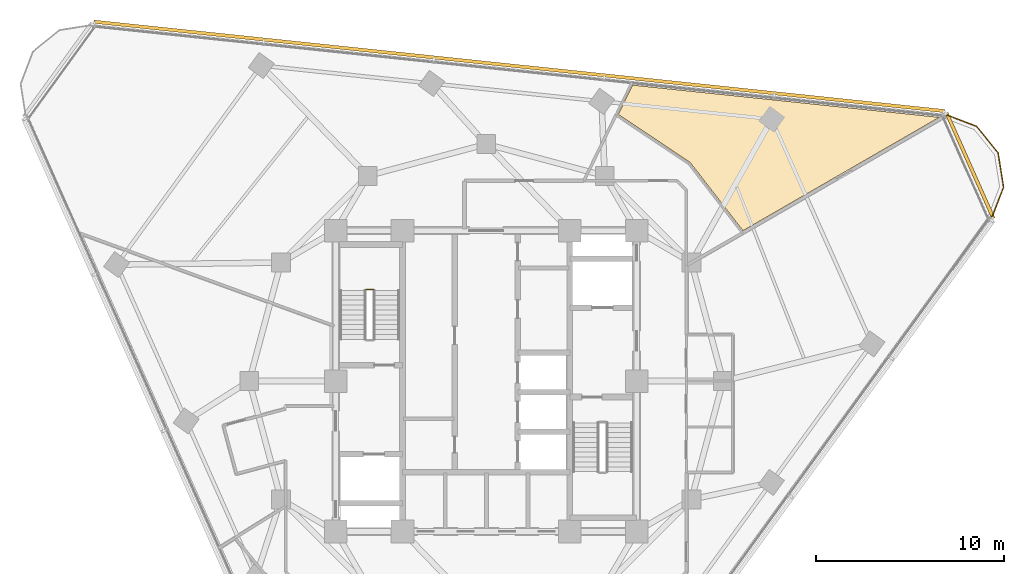
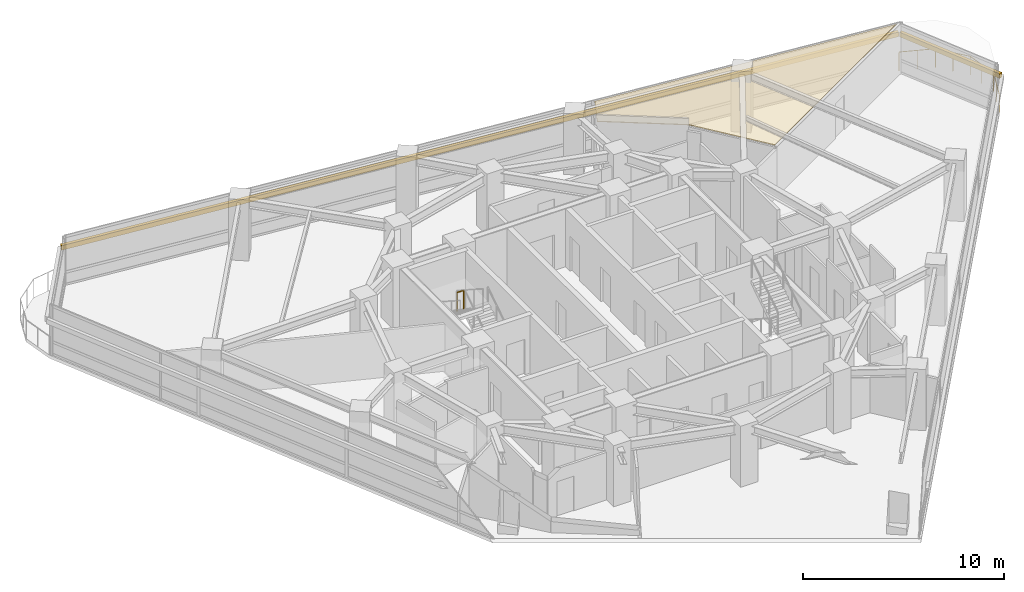
# One storey, part 14 of 14: 2 railings, 2 shading devices, 1 covering.
"""IFC4 building model written with IfcOpenShell, lengths in metres."""

from ifc_helpers import new_model, si_unit, direction, frame, origin, origin_2d, place, context, subcontext, project, spatial, polyline, rectangle, circle, outline, extrude, material, layer, layer_set, type_object, element, save


model = new_model("IFC4")

# Units and contexts
model_context = context("Model", 3, precision=1e-05, world=origin(), true_north=direction((0.0, 1.0)))
body_context = subcontext(model_context, "Body", "Model", "MODEL_VIEW")
ifc_project = project(units=[si_unit("LENGTHUNIT", "METRE"), si_unit("AREAUNIT", "SQUARE_METRE"), si_unit("VOLUMEUNIT", "CUBIC_METRE"), si_unit("PLANEANGLEUNIT", "RADIAN"), si_unit("MASSUNIT", "GRAM", prefix="KILO")], contexts=[model_context])

# Site, building, storey
site_placement = place(None, origin())
site = spatial("IfcSite", under=ifc_project, at=site_placement, CompositionType="ELEMENT")
building_placement = place(site_placement, origin())
building = spatial("IfcBuilding", under=site, at=building_placement, Name="Terralouvre Media Tower", CompositionType="ELEMENT")
storey_placement = place(building_placement, frame((0.0, 0.0, 241.10009765625)))
storey = spatial("IfcBuildingStorey", under=building, at=storey_placement, Name="L62", CompositionType="ELEMENT", Elevation=241.10009765625)

# Covering
ifc_material_1 = material(Name="Perforated aluminium acoustic ceiling baffle", Category="aluminium")
ifc_layer_1 = layer(ifc_material_1, 0.0400390625, Name="Perforated Acoustic Metal Tile Ceiling CL-AC1")
ifc_layer_set_1 = layer_set([ifc_layer_1], Name="Perforated aluminium acoustic ceiling baffle")
covering_type = type_object("IfcCoveringType", Name="Perforated Acoustic Metal Tile Ceiling CL-AC1", PredefinedType="CEILING", material=ifc_layer_set_1)
covering_placement = place(storey_placement, frame((0.0, 0.0, 2.97998046875), z_axis=(0.0, 0.0, 1.0), x_axis=(0.587785252292, 0.809016994375, 0.0)))
element("IfcCovering", 1, at=covering_placement, inside=storey, type_object=covering_type, Name="L62 Event Planning Conference Room 6 Acoustic Ceiling", PredefinedType="CEILING", context=body_context, shape_type="SweptSolid", body=[
    extrude(outline(polyline([(15.781982421875, -1.922119140625), (15.781982421875, -1.932861328125), (15.780517578125, -1.943603515625), (15.778076171875, -1.9541015625), (14.498046875, -6.345703125), (25.505126953125, -11.24609375), (17.308837890625, 2.9501953125), (15.60205078125, 2.6494140625), (15.781982421875, -1.922119140625)])), origin(), (0.0, 0.0, 1.0), 0.0400390625),
])

# Railings
ifc_material_2 = material(Name="Stainless steel 316 handrail and balustrade", Category="steel")
ifc_layer_2 = layer(ifc_material_2, 0.06005859375, Name="Roof Edge Safety Guardrail GR-ROOF1")
ifc_layer_set_2 = layer_set([ifc_layer_2], Name="Stainless steel 316 handrail and balustrade")
railing_type_1 = type_object("IfcRailingType", Name="Roof Edge Safety Guardrail GR-ROOF1", PredefinedType="GUARDRAIL", material=ifc_layer_set_2)
railing_1_placement = place(storey_placement, frame((26.85595703125, 8.593505859375, 0.0)))
element("IfcRailing", 2, at=railing_1_placement, inside=storey, type_object=railing_type_1, Name="L62 Wind-Corner Perimeter Safety Guardrail C1", PredefinedType="GUARDRAIL", context=body_context, shape_type="SweptSolid", body=[
    extrude(circle(Radius=0.02099609375, at=origin_2d()), frame((0.0, 0.0, 1.12890625), z_axis=(0.358685184164, 0.933458589688, 0.0), x_axis=(-0.933458589688, 0.358685184164, 0.0)), (0.0, 0.0, 1.0), 1.837158203125),
    extrude(circle(Radius=0.02099609375, at=origin_2d()), frame((0.658935546875, 1.71484375, 1.12890625), z_axis=(-0.156310663238, 0.987707940921, 0.0), x_axis=(-0.987707940921, -0.156310663238, 0.0)), (0.0, 0.0, 1.0), 1.836669921875),
    extrude(circle(Radius=0.02099609375, at=origin_2d()), frame((0.371826171875, 3.529052734375, 1.12890625), z_axis=(-0.629481130122, 0.777015769995, 0.0), x_axis=(-0.777015769995, -0.629481130122, 0.0)), (0.0, 0.0, 1.0), 1.8369140625),
    extrude(circle(Radius=0.02099609375, at=origin_2d()), frame((-0.784423828125, 4.956298828125, 1.12890625), z_axis=(-0.933653545479, 0.358177409974, 0.0), x_axis=(-0.358177409974, -0.933653545479, 0.0)), (0.0, 0.0, 1.0), 1.8369140625),
    extrude(circle(Radius=0.01904296875, at=origin_2d()), origin(), (0.0, 0.0, 1.0), 1.10791015625),
    extrude(circle(Radius=0.01904296875, at=origin_2d()), frame((0.32958984375, 0.857421875, 0.0)), (0.0, 0.0, 1.0), 1.10791015625),
    extrude(circle(Radius=0.01904296875, at=origin_2d()), frame((0.658935546875, 1.71484375, 0.0)), (0.0, 0.0, 1.0), 1.10791015625),
    extrude(circle(Radius=0.01904296875, at=origin_2d()), frame((0.515380859375, 2.6220703125, 0.0)), (0.0, 0.0, 1.0), 1.10791015625),
    extrude(circle(Radius=0.01904296875, at=origin_2d()), frame((0.371826171875, 3.529052734375, 0.0)), (0.0, 0.0, 1.0), 1.10791015625),
    extrude(circle(Radius=0.01904296875, at=origin_2d()), frame((-0.206298828125, 4.24267578125, 0.0)), (0.0, 0.0, 1.0), 1.10791015625),
    extrude(circle(Radius=0.01904296875, at=origin_2d()), frame((-0.784423828125, 4.956298828125, 0.0)), (0.0, 0.0, 1.0), 1.10791015625),
    extrude(circle(Radius=0.01904296875, at=origin_2d()), frame((-1.64208984375, 5.28515625, 0.0)), (0.0, 0.0, 1.0), 1.10791015625),
    extrude(circle(Radius=0.01904296875, at=origin_2d()), frame((-2.49951171875, 5.6142578125, 0.0)), (0.0, 0.0, 1.0), 1.10791015625),
])
ifc_material_3 = material(Name="Stainless steel 316 handrail and balustrade", Category="steel")
ifc_layer_3 = layer(ifc_material_3, 0.050048828125, Name="Stairwell Safety Guardrail GR-INT1")
ifc_layer_set_3 = layer_set([ifc_layer_3], Name="Stainless steel 316 handrail and balustrade")
railing_type_2 = type_object("IfcRailingType", Name="Stairwell Safety Guardrail GR-INT1", PredefinedType="GUARDRAIL", material=ifc_layer_set_3)
railing_2_placement = place(storey_placement, frame((-6.0, 4.8701171875, 1.849853515625)))
element("IfcRailing", 3, at=railing_2_placement, inside=storey, type_object=railing_type_2, Name="L62 ST-01 stair guard 2", PredefinedType="GUARDRAIL", context=body_context, shape_type="SweptSolid", body=[
    extrude(circle(Radius=0.02392578125, at=origin_2d()), frame((0.0, 0.0, 1.1259765625), z_axis=(-1.0, 0.0, 0.0), x_axis=(0.0, -1.0, 0.0)), (0.0, 0.0, 1.0), 0.3798828125),
    extrude(circle(Radius=0.02099609375, at=origin_2d()), origin(), (0.0, 0.0, 1.0), 1.101806640625),
    extrude(circle(Radius=0.02099609375, at=origin_2d()), frame((-0.3798828125, 0.0, 0.0)), (0.0, 0.0, 1.0), 1.101806640625),
])

# Shading devices
ifc_material_4 = material(Name="Extruded terracotta baguette sunshade louvres", Category="masonry")
shading_device_type = type_object("IfcShadingDeviceType", Name="Terracotta Baguette Sunshade Louvre Screen TB-LV1", PredefinedType="USERDEFINED", material=ifc_material_4)
shading_device_1_placement = place(storey_placement, frame((1.758544921875, 16.732666015625, 2.02392578125), z_axis=(0.0, 0.0, 1.0), x_axis=(-0.994521885028, 0.104528561651, 0.0)))
element("IfcShadingDevice", 4, at=shading_device_1_placement, inside=storey, type_object=shading_device_type, Name="CW-L62-F1 Terracotta Baguette Sunshade Louvre", ObjectType="BAGUETTE", PredefinedType="USERDEFINED", context=body_context, shape_type="SweptSolid", body=[
    extrude(rectangle(XDim=45.5, YDim=0.179931640625, at=origin_2d()), origin(), (0.0, 0.0, 1.0), 0.280029296875),
])
shading_device_2_placement = place(storey_placement, frame((25.7294921875, 11.45556640625, 2.02392578125), z_axis=(0.0, 0.0, 1.0), x_axis=(-0.406737441315, 0.913545102243, 0.0)))
element("IfcShadingDevice", 5, at=shading_device_2_placement, inside=storey, type_object=shading_device_type, Name="CW-L62-C1 Terracotta Baguette Sunshade Louvre", ObjectType="BAGUETTE", PredefinedType="USERDEFINED", context=body_context, shape_type="SweptSolid", body=[
    extrude(rectangle(XDim=6.148681640625, YDim=0.179931640625, at=origin_2d()), origin(), (0.0, 0.0, 1.0), 0.280029296875),
])

save(model, "model.ifc")
